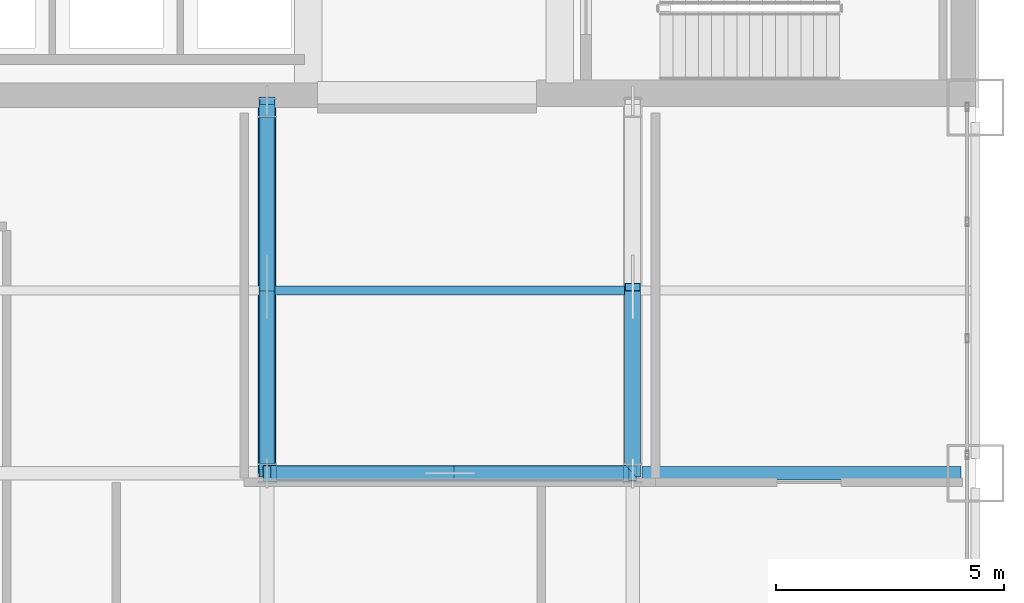
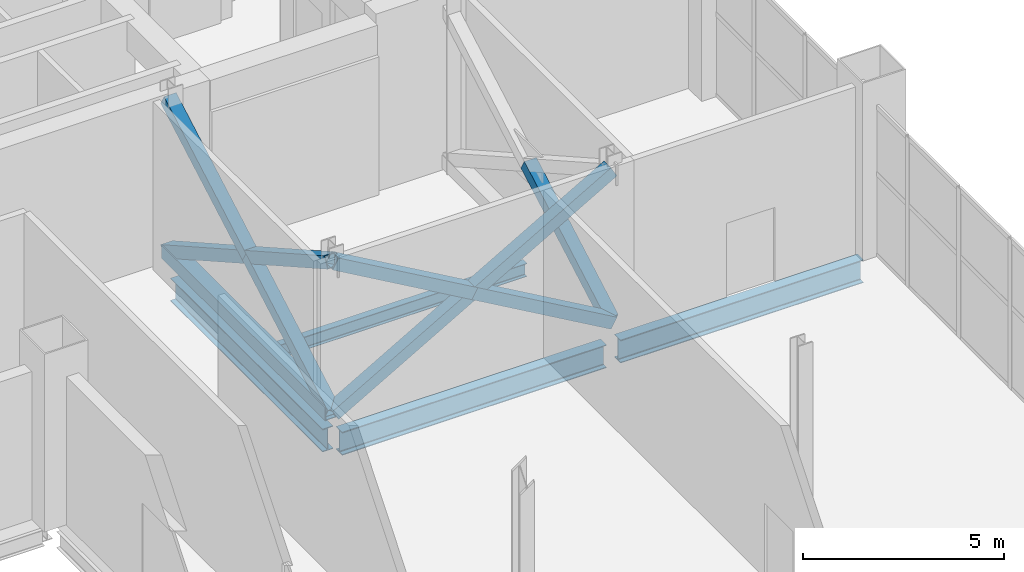
# One storey, part 13 of 26: 8 members, 4 beams.
"""IFC4 building model written with IfcOpenShell, lengths in metres."""

from ifc_helpers import new_model, si_unit, direction, frame, origin, origin_2d, place, context, subcontext, project, spatial, hollow_rectangle, i_section, extrude, material, material_profile, profile_set, type_object, element, save


model = new_model("IFC4")

# Units and contexts
model_context = context("Model", 3, precision=1e-05, world=origin(), true_north=direction((0.0, 1.0)))
body_context = subcontext(model_context, "Body", "Model", "MODEL_VIEW")
ifc_project = project(units=[si_unit("LENGTHUNIT", "METRE"), si_unit("AREAUNIT", "SQUARE_METRE"), si_unit("VOLUMEUNIT", "CUBIC_METRE"), si_unit("PLANEANGLEUNIT", "RADIAN"), si_unit("MASSUNIT", "GRAM", prefix="KILO")], contexts=[model_context])

# Site, building, storey
site_placement = place(None, origin())
site = spatial("IfcSite", under=ifc_project, at=site_placement, CompositionType="ELEMENT")
building_placement = place(site_placement, origin())
building = spatial("IfcBuilding", under=site, at=building_placement, Name="Qianrong Seaharbour Tower", CompositionType="ELEMENT")
storey_placement = place(building_placement, frame((0.0, 0.0, 108.199951171875)))
storey = spatial("IfcBuildingStorey", under=building, at=storey_placement, Name="L26", CompositionType="ELEMENT", Elevation=108.199951171875)

# Beams
ifc_material_1 = material(Name="Structural steel SN490B", Category="steel")
ifc_material_profile_1 = material_profile(ifc_material_1, i_section(OverallWidth=0.300048828125, OverallDepth=0.699951171875, WebThickness=0.012939453125, FlangeThickness=0.02392578125, FilletRadius=0.02587890625, at=origin_2d()), Name="H700x300x13x24")
ifc_profile_set_1 = profile_set([ifc_material_profile_1], Name="Structural steel SN490B")
beam_type_1 = type_object("IfcBeamType", Name="BM-G-700", PredefinedType="BEAM", material=ifc_profile_set_1)
beam_1_placement = place(storey_placement, frame((48.70361328125, 28.0, -0.699951171875), z_axis=(1.0, 0.0, 0.0), x_axis=(0.0, 1.0, 0.0)))
element("IfcBeam", 1, at=beam_1_placement, inside=storey, type_object=beam_type_1, Name="L26 Primary Girder GE G7-G8", PredefinedType="BEAM", context=body_context, shape_type="SweptSolid", body=[
    extrude(i_section(OverallWidth=0.300048828125, OverallDepth=0.699951171875, WebThickness=0.012939453125, FlangeThickness=0.02392578125, FilletRadius=0.02587890625, at=origin_2d()), origin(), (0.0, 0.0, 1.0), 7.5927734375),
])
beam_2_placement = place(storey_placement, frame((56.70361328125, 28.0, -0.699951171875), z_axis=(1.0, 0.0, 0.0), x_axis=(0.0, 1.0, 0.0)))
element("IfcBeam", 2, at=beam_2_placement, inside=storey, type_object=beam_type_1, Name="L26 Primary Girder GE G8-G9", PredefinedType="BEAM", context=body_context, shape_type="SweptSolid", body=[
    extrude(i_section(OverallWidth=0.300048828125, OverallDepth=0.699951171875, WebThickness=0.012939453125, FlangeThickness=0.02392578125, FilletRadius=0.02587890625, at=origin_2d()), origin(), (0.0, 0.0, 1.0), 6.976318359375),
])
beam_3_placement = place(storey_placement, frame((48.5, 28.214111328125, -0.699951171875), z_axis=(0.0, 1.0, 0.0), x_axis=(-1.0, 0.0, 0.0)))
element("IfcBeam", 3, at=beam_3_placement, inside=storey, type_object=beam_type_1, Name="L26 Primary Girder G7 GE-GF", PredefinedType="BEAM", context=body_context, shape_type="SweptSolid", body=[
    extrude(i_section(OverallWidth=0.300048828125, OverallDepth=0.699951171875, WebThickness=0.012939453125, FlangeThickness=0.02392578125, FilletRadius=0.02587890625, at=origin_2d()), origin(), (0.0, 0.0, 1.0), 7.57177734375),
])
ifc_material_2 = material(Name="Structural steel SN400B", Category="steel")
ifc_material_profile_2 = material_profile(ifc_material_2, i_section(OverallWidth=0.199951171875, OverallDepth=0.39990234375, WebThickness=0.008056640625, FlangeThickness=0.012939453125, FilletRadius=0.01611328125, at=origin_2d()), Name="H400x200x8x13")
ifc_profile_set_2 = profile_set([ifc_material_profile_2], Name="Structural steel SN400B")
beam_type_2 = type_object("IfcBeamType", Name="BM-J-400", PredefinedType="JOIST", material=ifc_profile_set_2)
beam_4_placement = place(storey_placement, frame((48.64990234375, 32.0, -0.550048828125), z_axis=(1.0, 0.0, 0.0), x_axis=(0.0, 1.0, 0.0)))
element("IfcBeam", 4, at=beam_4_placement, inside=storey, type_object=beam_type_2, Name="L26 Composite Floor Joist G7-G8/GE-GF", PredefinedType="JOIST", context=body_context, shape_type="SweptSolid", body=[
    extrude(i_section(OverallWidth=0.199951171875, OverallDepth=0.39990234375, WebThickness=0.008056640625, FlangeThickness=0.012939453125, FilletRadius=0.01611328125, at=origin_2d()), origin(), (0.0, 0.0, 1.0), 7.7001953125),
])

# Members
ifc_material_profile_3 = material_profile(ifc_material_1, hollow_rectangle(XDim=0.35009765625, YDim=0.35009765625, WallThickness=0.01611328125, at=origin_2d()), Name="SHS350x350x16")
ifc_profile_set_3 = profile_set([ifc_material_profile_3], Name="Structural steel SN490B")
member_type_1 = type_object("IfcMemberType", Name="MEM-BT-SHS350", PredefinedType="BRACE", material=ifc_profile_set_3)
member_1_placement = place(storey_placement, frame((48.5, 36.14990234375, 0.25), z_axis=(0.0, -0.87085420857, 0.491541399493), x_axis=(1.0, 0.0, 0.0)))
element("IfcMember", 5, at=member_1_placement, inside=storey, type_object=member_type_1, Name="L26 Outrigger Belt Truss Diagonal Brace OT-07", PredefinedType="BRACE", context=body_context, shape_type="SweptSolid", body=[
    extrude(hollow_rectangle(XDim=0.35009765625, YDim=0.35009765625, WallThickness=0.01611328125, at=origin_2d()), origin(), (0.0, 0.0, 1.0), 9.3583984375),
])
for number, where, z_axis, x_axis, name in (
    (6, (48.5, 36.14990234375, 4.85009765625), (0.0, -0.87085420857, -0.491541399493), (1.0, 0.0, 0.0), "L26 Outrigger Belt Truss Diagonal Brace OT-08"),
    (7, (48.5, 32.074951171875, 2.550048828125), (0.0, -0.87085420857, -0.491541399493), (1.0, 0.0, 0.0), "L26 Outrigger Belt Truss Diagonal Brace OT-09"),
    (8, (56.5, 32.074951171875, 2.550048828125), (0.0, -0.87085420857, -0.491541399493), (1.0, 0.0, 0.0), "L26 Outrigger Belt Truss Diagonal Brace OT-12"),
):
    element("IfcMember", number, at=place(storey_placement, frame(where, z_axis=z_axis, x_axis=x_axis)), inside=storey, type_object=member_type_1, Name=name, PredefinedType="BRACE", context=body_context, shape_type="SweptSolid", body=[
        extrude(hollow_rectangle(XDim=0.35009765625, YDim=0.35009765625, WallThickness=0.01611328125, at=origin_2d()), origin(), (0.0, 0.0, 1.0), 4.67919921875),
    ])
member_2_placement = place(storey_placement, frame((48.5, 28.0, 0.25), z_axis=(0.866901730117, 0.0, 0.498479077114), x_axis=(0.0, 1.0, 0.0)))
element("IfcMember", 9, at=member_2_placement, inside=storey, type_object=member_type_1, Name="L26 Interior Belt Truss Diagonal Brace BT-19", PredefinedType="BRACE", context=body_context, shape_type="SweptSolid", body=[
    extrude(hollow_rectangle(XDim=0.35009765625, YDim=0.35009765625, WallThickness=0.01611328125, at=origin_2d()), origin(), (0.0, 0.0, 1.0), 9.228271484375),
])
for number, where, z_axis, x_axis, name in (
    (10, (48.5, 28.0, 4.85009765625), (0.866901730117, 0.0, -0.498479077114), (0.0, 1.0, 0.0), "L26 Interior Belt Truss Diagonal Brace BT-20"),
    (11, (52.5, 28.0, 2.550048828125), (0.866901730117, 0.0, -0.498479077114), (0.0, 1.0, 0.0), "L26 Interior Belt Truss Diagonal Brace BT-21"),
):
    element("IfcMember", number, at=place(storey_placement, frame(where, z_axis=z_axis, x_axis=x_axis)), inside=storey, type_object=member_type_1, Name=name, PredefinedType="BRACE", context=body_context, shape_type="SweptSolid", body=[
        extrude(hollow_rectangle(XDim=0.35009765625, YDim=0.35009765625, WallThickness=0.01611328125, at=origin_2d()), origin(), (0.0, 0.0, 1.0), 4.614013671875),
    ])
ifc_material_profile_4 = material_profile(ifc_material_1, hollow_rectangle(XDim=0.39990234375, YDim=0.39990234375, WallThickness=0.02001953125, at=origin_2d()), Name="SHS400x400x20")
ifc_profile_set_4 = profile_set([ifc_material_profile_4], Name="Structural steel SN490B")
member_type_2 = type_object("IfcMemberType", Name="MEM-CHORD-400", PredefinedType="CHORD", material=ifc_profile_set_4)
member_3_placement = place(storey_placement, frame((48.5, 28.0, 0.25), z_axis=(0.0, 1.0, 0.0), x_axis=(-1.0, 0.0, 0.0)))
element("IfcMember", 12, at=member_3_placement, inside=storey, type_object=member_type_2, Name="L26 Outrigger Truss Bottom Chord G7", PredefinedType="CHORD", context=body_context, shape_type="SweptSolid", body=[
    extrude(hollow_rectangle(XDim=0.39990234375, YDim=0.39990234375, WallThickness=0.02001953125, at=origin_2d()), origin(), (0.0, 0.0, 1.0), 8.14990234375),
])

save(model, "model.ifc")
